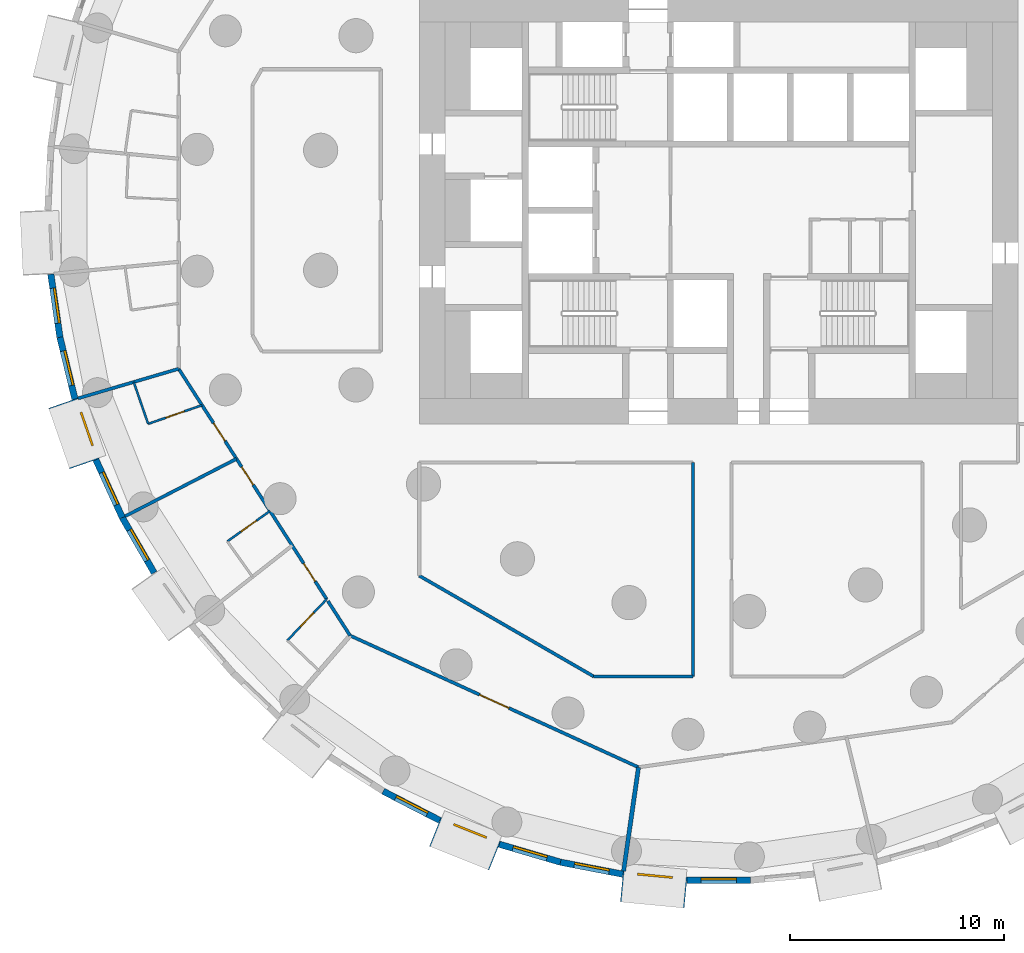
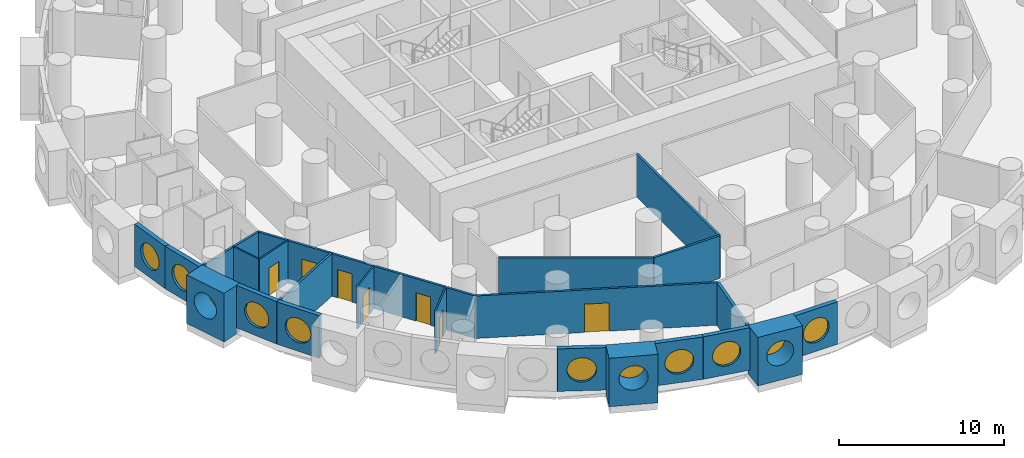
# One storey, part 3 of 12: 24 walls, 11 windows, 7 doors, 18 openings.
"""IFC4 building model written with IfcOpenShell, lengths in metres."""

from ifc_helpers import new_model, si_unit, direction, frame, frame_2d, origin, origin_2d, place, context, subcontext, project, spatial, rectangle, circle, extrude, material, layer, layer_set, type_object, element, fill, save


model = new_model("IFC4")

# Units and contexts
model_context = context("Model", 3, precision=1e-05, world=origin(), true_north=direction((0.0, 1.0)))
body_context = subcontext(model_context, "Body", "Model", "MODEL_VIEW")
ifc_project = project(units=[si_unit("LENGTHUNIT", "METRE"), si_unit("AREAUNIT", "SQUARE_METRE"), si_unit("VOLUMEUNIT", "CUBIC_METRE"), si_unit("PLANEANGLEUNIT", "RADIAN"), si_unit("MASSUNIT", "GRAM", prefix="KILO")], contexts=[model_context])

# Site, building, storey
site_placement = place(None, origin())
site = spatial("IfcSite", under=ifc_project, at=site_placement, CompositionType="ELEMENT")
building_placement = place(site_placement, origin())
building = spatial("IfcBuilding", under=site, at=building_placement, Name="Tracery Tower", CompositionType="ELEMENT")
storey_placement = place(building_placement, frame((0.0, 0.0, 28.199951171875)))
storey = spatial("IfcBuildingStorey", under=building, at=storey_placement, Name="L05", CompositionType="ELEMENT", Elevation=28.199951171875)

# Wall, opening, window
ifc_material_1 = material(Name="Precast concrete C50/60", Category="concrete")
ifc_layer_1 = layer(ifc_material_1, 1.449951171875)
ifc_layer_set_1 = layer_set([ifc_layer_1], Name="Deep-set bay unit 3000 x 3600, slab edge 450")
wall_type_1 = type_object("IfcWallType", Name="Deep-set bay unit 3000 x 3600, slab edge 450", PredefinedType="ELEMENTEDWALL", material=ifc_layer_set_1)
wall_1_placement = place(storey_placement, frame((-30.649169921875, -9.0205078125, -0.449951171875), z_axis=(0.0, 0.0, 1.0), x_axis=(0.327071431777, -0.944999618262, 0.0)))
wall_1 = element("IfcWall", 1, at=wall_1_placement, inside=storey, type_object=wall_type_1, Name="Deep-set bay unit 37 at L05", PredefinedType="ELEMENTEDWALL", context=body_context, shape_type="SweptSolid", body=[
    extrude(rectangle(XDim=3.0, YDim=1.449951171875, at=frame_2d((1.5, 0.0))), origin(), (0.0, 0.0, 1.0), 3.60009765625),
])
opening_1_placement = place(wall_1_placement, frame((1.5, 0.0, 2.0)))
opening_1 = element("IfcOpeningElement", 2, at=opening_1_placement, cuts=wall_1, Name="Opening WN1", PredefinedType="OPENING", context=body_context, shape_type="SweptSolid", body=[
    extrude(circle(Radius=0.9000244140625, at=origin_2d()), frame((0.0, 0.73486328125, 0.0), z_axis=(0.0, -1.0, 0.0), x_axis=(1.0, 0.0, 0.0)), (0.0, 0.0, 1.0), 1.469970703125),
])
ifc_material_2 = material(Name="Aluminium frame with tinted double glazing", Category="aluminium")
window_type = type_object("IfcWindowType", Name="Round window 1800", PartitioningType="SINGLE_PANEL", PredefinedType="WINDOW", material=ifc_material_2)
window_1_placement = place(opening_1_placement, origin())
window_1 = element("IfcWindow", 3, at=window_1_placement, inside=storey, type_object=window_type, Name="Round window 37 at L05", OverallHeight=1.800048828125, OverallWidth=1.800048828125, PartitioningType="SINGLE_PANEL", PredefinedType="WINDOW", context=body_context, shape_type="SweptSolid", body=[
    extrude(circle(Radius=0.9000244140625, at=origin_2d()), frame((0.0, 0.69482421875, 0.0), z_axis=(0.0, -1.0, 0.0), x_axis=(1.0, 0.0, 0.0)), (0.0, 0.0, 1.0), 0.10009765625),
])
fill(opening_1, window_1)

wall_2_placement = place(storey_placement, frame((-13.253662109375, -29.0703125, -0.449951171875), z_axis=(0.0, 0.0, 1.0), x_axis=(0.928358776184, -0.371685327504, 0.0)))
wall_2 = element("IfcWall", 4, at=wall_2_placement, inside=storey, type_object=wall_type_1, Name="Deep-set bay unit 46 at L05", PredefinedType="ELEMENTEDWALL", context=body_context, shape_type="SweptSolid", body=[
    extrude(rectangle(XDim=2.999755859375, YDim=1.449951171875, at=frame_2d((1.5, 0.0))), origin(), (0.0, 0.0, 1.0), 3.60009765625),
])
opening_2_placement = place(wall_2_placement, frame((1.5, 0.0, 2.0)))
opening_2 = element("IfcOpeningElement", 5, at=opening_2_placement, cuts=wall_2, Name="Opening WN1", PredefinedType="OPENING", context=body_context, shape_type="SweptSolid", body=[
    extrude(circle(Radius=0.9000244140625, at=origin_2d()), frame((0.0, 0.73486328125, 0.0), z_axis=(0.0, -1.0, 0.0), x_axis=(1.0, 0.0, 0.0)), (0.0, 0.0, 1.0), 1.469970703125),
])
window_2_placement = place(opening_2_placement, origin())
window_2 = element("IfcWindow", 6, at=window_2_placement, inside=storey, type_object=window_type, Name="Round window 46 at L05", OverallHeight=1.800048828125, OverallWidth=1.800048828125, PartitioningType="SINGLE_PANEL", PredefinedType="WINDOW", context=body_context, shape_type="SweptSolid", body=[
    extrude(circle(Radius=0.9000244140625, at=origin_2d()), frame((0.0, 0.69482421875, 0.0), z_axis=(0.0, -1.0, 0.0), x_axis=(1.0, 0.0, 0.0)), (0.0, 0.0, 1.0), 0.10009765625),
])
fill(opening_2, window_2)

wall_3_placement = place(storey_placement, frame((-4.52685546875, -31.626708984375, -0.449951171875), z_axis=(0.0, 0.0, 1.0), x_axis=(0.995472768558, -0.09504718333, 0.0)))
wall_3 = element("IfcWall", 7, at=wall_3_placement, inside=storey, type_object=wall_type_1, Name="Deep-set bay unit 49 at L05", PredefinedType="ELEMENTEDWALL", context=body_context, shape_type="SweptSolid", body=[
    extrude(rectangle(XDim=3.000244140625, YDim=1.449951171875, at=frame_2d((1.5, 0.0))), origin(), (0.0, 0.0, 1.0), 3.60009765625),
])
opening_3_placement = place(wall_3_placement, frame((1.5, 0.0, 2.0)))
opening_3 = element("IfcOpeningElement", 8, at=opening_3_placement, cuts=wall_3, Name="Opening WN1", PredefinedType="OPENING", context=body_context, shape_type="SweptSolid", body=[
    extrude(circle(Radius=0.9000244140625, at=origin_2d()), frame((0.0, 0.73486328125, 0.0), z_axis=(0.0, -1.0, 0.0), x_axis=(1.0, 0.0, 0.0)), (0.0, 0.0, 1.0), 1.469970703125),
])
window_3_placement = place(opening_3_placement, origin())
window_3 = element("IfcWindow", 9, at=window_3_placement, inside=storey, type_object=window_type, Name="Round window 49 at L05", OverallHeight=1.800048828125, OverallWidth=1.800048828125, PartitioningType="SINGLE_PANEL", PredefinedType="WINDOW", context=body_context, shape_type="SweptSolid", body=[
    extrude(circle(Radius=0.9000244140625, at=origin_2d()), frame((0.0, 0.69482421875, 0.0), z_axis=(0.0, -1.0, 0.0), x_axis=(1.0, 0.0, 0.0)), (0.0, 0.0, 1.0), 0.10009765625),
])
fill(opening_3, window_3)

ifc_material_3 = material(Name="Precast concrete C50/60", Category="concrete")
ifc_layer_2 = layer(ifc_material_3, 0.300048828125)
ifc_layer_set_2 = layer_set([ifc_layer_2], Name="Facade panel 3000 x 3150")
wall_type_2 = type_object("IfcWallType", Name="Facade panel 3000 x 3150", PredefinedType="SOLIDWALL", material=ifc_layer_set_2)
wall_4_placement = place(storey_placement, frame((-31.2314453125, -2.98828125, 0.0), z_axis=(0.0, 0.0, 1.0), x_axis=(0.142315996627, -0.989821275334, 0.0)))
wall_4 = element("IfcWall", 10, at=wall_4_placement, inside=storey, type_object=wall_type_2, Name="Facade panel 35 at L05", PredefinedType="SOLIDWALL", context=body_context, shape_type="SweptSolid", body=[
    extrude(rectangle(XDim=2.979736328125, YDim=0.300048828125, at=frame_2d((1.48974609375, 0.0))), origin(), (0.0, 0.0, 1.0), 3.150146484375),
])
opening_4_placement = place(wall_4_placement, frame((1.48974609375, 0.0, 1.5498046875)))
opening_4 = element("IfcOpeningElement", 11, at=opening_4_placement, cuts=wall_4, Name="Opening WN1", PredefinedType="OPENING", context=body_context, shape_type="SweptSolid", body=[
    extrude(circle(Radius=0.9000244140625, at=origin_2d()), frame((0.0, 0.159912109375, 0.0), z_axis=(0.0, -1.0, 0.0), x_axis=(1.0, 0.0, 0.0)), (0.0, 0.0, 1.0), 0.320068359375),
])
window_4_placement = place(opening_4_placement, origin())
window_4 = element("IfcWindow", 12, at=window_4_placement, inside=storey, type_object=window_type, Name="Round window 35 at L05", OverallHeight=1.800048828125, OverallWidth=1.800048828125, PartitioningType="SINGLE_PANEL", PredefinedType="WINDOW", context=body_context, shape_type="SweptSolid", body=[
    extrude(circle(Radius=0.9000244140625, at=origin_2d()), frame((0.0, 0.1201171875, 0.0), z_axis=(0.0, -1.0, 0.0), x_axis=(1.0, 0.0, 0.0)), (0.0, 0.0, 1.0), 0.10009765625),
])
fill(opening_4, window_4)

wall_5_placement = place(storey_placement, frame((-30.807373046875, -5.937744140625, 0.0), z_axis=(0.0, 0.0, 1.0), x_axis=(0.235743081534, -0.971815414319, 0.0)))
wall_5 = element("IfcWall", 13, at=wall_5_placement, inside=storey, type_object=wall_type_2, Name="Facade panel 36 at L05", PredefinedType="SOLIDWALL", context=body_context, shape_type="SweptSolid", body=[
    extrude(rectangle(XDim=2.9794921875, YDim=0.300048828125, at=frame_2d((1.48974609375, 0.0))), origin(), (0.0, 0.0, 1.0), 3.150146484375),
])
opening_5_placement = place(wall_5_placement, frame((1.48974609375, 0.0, 1.5498046875)))
opening_5 = element("IfcOpeningElement", 14, at=opening_5_placement, cuts=wall_5, Name="Opening WN1", PredefinedType="OPENING", context=body_context, shape_type="SweptSolid", body=[
    extrude(circle(Radius=0.9000244140625, at=origin_2d()), frame((0.0, 0.159912109375, 0.0), z_axis=(0.0, -1.0, 0.0), x_axis=(1.0, 0.0, 0.0)), (0.0, 0.0, 1.0), 0.320068359375),
])
window_5_placement = place(opening_5_placement, origin())
window_5 = element("IfcWindow", 15, at=window_5_placement, inside=storey, type_object=window_type, Name="Round window 36 at L05", OverallHeight=1.800048828125, OverallWidth=1.800048828125, PartitioningType="SINGLE_PANEL", PredefinedType="WINDOW", context=body_context, shape_type="SweptSolid", body=[
    extrude(circle(Radius=0.9000244140625, at=origin_2d()), frame((0.0, 0.1201171875, 0.0), z_axis=(0.0, -1.0, 0.0), x_axis=(1.0, 0.0, 0.0)), (0.0, 0.0, 1.0), 0.10009765625),
])
fill(opening_5, window_5)

wall_6_placement = place(storey_placement, frame((-29.12451171875, -11.666259765625, 0.0), z_axis=(0.0, 0.0, 1.0), x_axis=(0.415407317162, -0.909635509888, 0.0)))
wall_6 = element("IfcWall", 16, at=wall_6_placement, inside=storey, type_object=wall_type_2, Name="Facade panel 38 at L05", PredefinedType="SOLIDWALL", context=body_context, shape_type="SweptSolid", body=[
    extrude(rectangle(XDim=2.979736328125, YDim=0.300048828125, at=frame_2d((1.48974609375, 0.0))), origin(), (0.0, 0.0, 1.0), 3.150146484375),
])
opening_6_placement = place(wall_6_placement, frame((1.48974609375, 0.0, 1.5498046875)))
opening_6 = element("IfcOpeningElement", 17, at=opening_6_placement, cuts=wall_6, Name="Opening WN1", PredefinedType="OPENING", context=body_context, shape_type="SweptSolid", body=[
    extrude(circle(Radius=0.9000244140625, at=origin_2d()), frame((0.0, 0.159912109375, 0.0), z_axis=(0.0, -1.0, 0.0), x_axis=(1.0, 0.0, 0.0)), (0.0, 0.0, 1.0), 0.320068359375),
])
window_6_placement = place(opening_6_placement, origin())
window_6 = element("IfcWindow", 18, at=window_6_placement, inside=storey, type_object=window_type, Name="Round window 38 at L05", OverallHeight=1.800048828125, OverallWidth=1.800048828125, PartitioningType="SINGLE_PANEL", PredefinedType="WINDOW", context=body_context, shape_type="SweptSolid", body=[
    extrude(circle(Radius=0.9000244140625, at=origin_2d()), frame((0.0, 0.1201171875, 0.0), z_axis=(0.0, -1.0, 0.0), x_axis=(1.0, 0.0, 0.0)), (0.0, 0.0, 1.0), 0.10009765625),
])
fill(opening_6, window_6)

wall_7_placement = place(storey_placement, frame((-27.88671875, -14.376708984375, 0.0), z_axis=(0.0, 0.0, 1.0), x_axis=(0.499999078476, -0.866025935826, 0.0)))
wall_7 = element("IfcWall", 19, at=wall_7_placement, inside=storey, type_object=wall_type_2, Name="Facade panel 39 at L05", PredefinedType="SOLIDWALL", context=body_context, shape_type="SweptSolid", body=[
    extrude(rectangle(XDim=2.9794921875, YDim=0.300048828125, at=frame_2d((1.48974609375, 0.0))), origin(), (0.0, 0.0, 1.0), 3.150146484375),
])
opening_7_placement = place(wall_7_placement, frame((1.48974609375, 0.0, 1.5498046875)))
opening_7 = element("IfcOpeningElement", 20, at=opening_7_placement, cuts=wall_7, Name="Opening WN1", PredefinedType="OPENING", context=body_context, shape_type="SweptSolid", body=[
    extrude(circle(Radius=0.9000244140625, at=origin_2d()), frame((0.0, 0.159912109375, 0.0), z_axis=(0.0, -1.0, 0.0), x_axis=(1.0, 0.0, 0.0)), (0.0, 0.0, 1.0), 0.320068359375),
])
window_7_placement = place(opening_7_placement, origin())
window_7 = element("IfcWindow", 21, at=window_7_placement, inside=storey, type_object=window_type, Name="Round window 39 at L05", OverallHeight=1.800048828125, OverallWidth=1.800048828125, PartitioningType="SINGLE_PANEL", PredefinedType="WINDOW", context=body_context, shape_type="SweptSolid", body=[
    extrude(circle(Radius=0.9000244140625, at=origin_2d()), frame((0.0, 0.1201171875, 0.0), z_axis=(0.0, -1.0, 0.0), x_axis=(1.0, 0.0, 0.0)), (0.0, 0.0, 1.0), 0.10009765625),
])
fill(opening_7, window_7)

wall_8_placement = place(storey_placement, frame((-15.687255859375, -27.171142578125, 0.0), z_axis=(0.0, 0.0, 1.0), x_axis=(0.888853225096, -0.4581920386, 0.0)))
wall_8 = element("IfcWall", 22, at=wall_8_placement, inside=storey, type_object=wall_type_2, Name="Facade panel 45 at L05", PredefinedType="SOLIDWALL", context=body_context, shape_type="SweptSolid", body=[
    extrude(rectangle(XDim=2.9794921875, YDim=0.300048828125, at=frame_2d((1.48974609375, 0.0))), origin(), (0.0, 0.0, 1.0), 3.150146484375),
])
opening_8_placement = place(wall_8_placement, frame((1.48974609375, 0.0, 1.5498046875)))
opening_8 = element("IfcOpeningElement", 23, at=opening_8_placement, cuts=wall_8, Name="Opening WN1", PredefinedType="OPENING", context=body_context, shape_type="SweptSolid", body=[
    extrude(circle(Radius=0.9000244140625, at=origin_2d()), frame((0.0, 0.159912109375, 0.0), z_axis=(0.0, -1.0, 0.0), x_axis=(1.0, 0.0, 0.0)), (0.0, 0.0, 1.0), 0.320068359375),
])
window_8_placement = place(opening_8_placement, origin())
window_8 = element("IfcWindow", 24, at=window_8_placement, inside=storey, type_object=window_type, Name="Round window 45 at L05", OverallHeight=1.800048828125, OverallWidth=1.800048828125, PartitioningType="SINGLE_PANEL", PredefinedType="WINDOW", context=body_context, shape_type="SweptSolid", body=[
    extrude(circle(Radius=0.9000244140625, at=origin_2d()), frame((0.0, 0.1201171875, 0.0), z_axis=(0.0, -1.0, 0.0), x_axis=(1.0, 0.0, 0.0)), (0.0, 0.0, 1.0), 0.10009765625),
])
fill(opening_8, window_8)

wall_9_placement = place(storey_placement, frame((-10.255859375, -29.650634765625, 0.0), z_axis=(0.0, 0.0, 1.0), x_axis=(0.959507586834, -0.28168278401, 0.0)))
wall_9 = element("IfcWall", 25, at=wall_9_placement, inside=storey, type_object=wall_type_2, Name="Facade panel 47 at L05", PredefinedType="SOLIDWALL", context=body_context, shape_type="SweptSolid", body=[
    extrude(rectangle(XDim=2.979736328125, YDim=0.300048828125, at=frame_2d((1.48974609375, 0.0))), origin(), (0.0, 0.0, 1.0), 3.150146484375),
])
opening_9_placement = place(wall_9_placement, frame((1.48974609375, 0.0, 1.5498046875)))
opening_9 = element("IfcOpeningElement", 26, at=opening_9_placement, cuts=wall_9, Name="Opening WN1", PredefinedType="OPENING", context=body_context, shape_type="SweptSolid", body=[
    extrude(circle(Radius=0.9000244140625, at=origin_2d()), frame((0.0, 0.159912109375, 0.0), z_axis=(0.0, -1.0, 0.0), x_axis=(1.0, 0.0, 0.0)), (0.0, 0.0, 1.0), 0.320068359375),
])
window_9_placement = place(opening_9_placement, origin())
window_9 = element("IfcWindow", 27, at=window_9_placement, inside=storey, type_object=window_type, Name="Round window 47 at L05", OverallHeight=1.800048828125, OverallWidth=1.800048828125, PartitioningType="SINGLE_PANEL", PredefinedType="WINDOW", context=body_context, shape_type="SweptSolid", body=[
    extrude(circle(Radius=0.9000244140625, at=origin_2d()), frame((0.0, 0.1201171875, 0.0), z_axis=(0.0, -1.0, 0.0), x_axis=(1.0, 0.0, 0.0)), (0.0, 0.0, 1.0), 0.10009765625),
])
fill(opening_9, window_9)

wall_10_placement = place(storey_placement, frame((-7.396728515625, -30.489990234375, 0.0), z_axis=(0.0, 0.0, 1.0), x_axis=(0.981924535406, -0.189272836848, 0.0)))
wall_10 = element("IfcWall", 28, at=wall_10_placement, inside=storey, type_object=wall_type_2, Name="Facade panel 48 at L05", PredefinedType="SOLIDWALL", context=body_context, shape_type="SweptSolid", body=[
    extrude(rectangle(XDim=2.979736328125, YDim=0.300048828125, at=frame_2d((1.48974609375, 0.0))), origin(), (0.0, 0.0, 1.0), 3.150146484375),
])
opening_10_placement = place(wall_10_placement, frame((1.48974609375, 0.0, 1.5498046875)))
opening_10 = element("IfcOpeningElement", 29, at=opening_10_placement, cuts=wall_10, Name="Opening WN1", PredefinedType="OPENING", context=body_context, shape_type="SweptSolid", body=[
    extrude(circle(Radius=0.9000244140625, at=origin_2d()), frame((0.0, 0.159912109375, 0.0), z_axis=(0.0, -1.0, 0.0), x_axis=(1.0, 0.0, 0.0)), (0.0, 0.0, 1.0), 0.320068359375),
])
window_10_placement = place(opening_10_placement, origin())
window_10 = element("IfcWindow", 30, at=window_10_placement, inside=storey, type_object=window_type, Name="Round window 48 at L05", OverallHeight=1.800048828125, OverallWidth=1.800048828125, PartitioningType="SINGLE_PANEL", PredefinedType="WINDOW", context=body_context, shape_type="SweptSolid", body=[
    extrude(circle(Radius=0.9000244140625, at=origin_2d()), frame((0.0, 0.1201171875, 0.0), z_axis=(0.0, -1.0, 0.0), x_axis=(1.0, 0.0, 0.0)), (0.0, 0.0, 1.0), 0.10009765625),
])
fill(opening_10, window_10)

wall_11_placement = place(storey_placement, frame((-1.48681640625, -31.3388671875, 0.0), z_axis=(0.0, 0.0, 1.0), x_axis=(1.0, 0.0, 0.0)))
wall_11 = element("IfcWall", 31, at=wall_11_placement, inside=storey, type_object=wall_type_2, Name="Facade panel 50 at L05", PredefinedType="SOLIDWALL", context=body_context, shape_type="SweptSolid", body=[
    extrude(rectangle(XDim=2.979736328125, YDim=0.300048828125, at=frame_2d((1.48974609375, 0.0))), origin(), (0.0, 0.0, 1.0), 3.150146484375),
])
opening_11_placement = place(wall_11_placement, frame((1.48974609375, 0.0, 1.5498046875)))
opening_11 = element("IfcOpeningElement", 32, at=opening_11_placement, cuts=wall_11, Name="Opening WN1", PredefinedType="OPENING", context=body_context, shape_type="SweptSolid", body=[
    extrude(circle(Radius=0.9000244140625, at=origin_2d()), frame((0.0, 0.159912109375, 0.0), z_axis=(0.0, -1.0, 0.0), x_axis=(1.0, 0.0, 0.0)), (0.0, 0.0, 1.0), 0.320068359375),
])
window_11_placement = place(opening_11_placement, origin())
window_11 = element("IfcWindow", 33, at=window_11_placement, inside=storey, type_object=window_type, Name="Round window 50 at L05", OverallHeight=1.800048828125, OverallWidth=1.800048828125, PartitioningType="SINGLE_PANEL", PredefinedType="WINDOW", context=body_context, shape_type="SweptSolid", body=[
    extrude(circle(Radius=0.9000244140625, at=origin_2d()), frame((0.0, 0.1201171875, 0.0), z_axis=(0.0, -1.0, 0.0), x_axis=(1.0, 0.0, 0.0)), (0.0, 0.0, 1.0), 0.10009765625),
])
fill(opening_11, window_11)

# Wall
ifc_material_4 = material(Name="Plasterboard on steel studs", Category="steel")
ifc_layer_3 = layer(ifc_material_4, 0.10009765625)
ifc_layer_set_3 = layer_set([ifc_layer_3], Name="Partition 100 wet wall")
wall_type_3 = type_object("IfcWallType", Name="Partition 100 wet wall", PredefinedType="PARTITIONING", material=ifc_layer_set_3)
wall_12_placement = place(storey_placement, frame((-27.35595703125, -8.031982421875, 0.0), z_axis=(0.0, 0.0, 1.0), x_axis=(0.326924291943, -0.945050531632, 0.0)))
element("IfcWall", 34, at=wall_12_placement, inside=storey, type_object=wall_type_3, Name="Wet wall RA1-103", PredefinedType="PARTITIONING", context=body_context, shape_type="SweptSolid", body=[
    extrude(rectangle(XDim=2.07080078125, YDim=0.10009765625, at=frame_2d((1.035400390625, 0.0))), origin(), (0.0, 0.0, 1.0), 3.150146484375),
])

# Wall, opening, door
wall_13_placement = place(storey_placement, frame((-26.678955078125, -9.989013671875, 0.0), z_axis=(0.0, 0.0, 1.0), x_axis=(0.945014370431, 0.327028805578, 0.0)))
wall_13 = element("IfcWall", 35, at=wall_13_placement, inside=storey, type_object=wall_type_3, Name="Wet wall RA1-104", PredefinedType="PARTITIONING", context=body_context, shape_type="SweptSolid", body=[
    extrude(rectangle(XDim=2.666748046875, YDim=0.10009765625, at=frame_2d((1.33349609375, 0.0))), origin(), (0.0, 0.0, 1.0), 3.150146484375),
])
opening_12_placement = place(wall_13_placement, frame((0.883056640625, 0.0, 0.0)))
opening_12 = element("IfcOpeningElement", 36, at=opening_12_placement, cuts=wall_13, Name="Opening RA1-39", PredefinedType="OPENING", context=body_context, shape_type="SweptSolid", body=[
    extrude(rectangle(XDim=0.89990234375, YDim=2.0400390625, at=frame_2d((0.449951171875, 1.02001953125))), frame((0.0, 0.050048828125, 0.0), z_axis=(0.0, -1.0, 0.0), x_axis=(1.0, 0.0, 0.0)), (0.0, 0.0, 1.0), 0.10009765625),
])
ifc_material_5 = material(Name="Timber door leaf", Category="wood")
door_type_1 = type_object("IfcDoorType", Name="Door en-suite 900", OperationType="NOTDEFINED", PredefinedType="DOOR", material=ifc_material_5)
door_1_placement = place(opening_12_placement, origin())
door_1 = element("IfcDoor", 37, at=door_1_placement, inside=storey, type_object=door_type_1, Name="En-suite door RA1-39", OperationType="SINGLE_SWING_LEFT", OverallHeight=2.0400390625, OverallWidth=0.89990234375, PredefinedType="DOOR", context=body_context, shape_type="SweptSolid", body=[
    extrude(rectangle(XDim=0.89990234375, YDim=2.0400390625, at=frame_2d((0.449951171875, 1.02001953125))), frame((0.0, 0.02490234375, 0.0), z_axis=(0.0, -1.0, 0.0), x_axis=(1.0, 0.0, 0.0)), (0.0, 0.0, 1.0), 0.050048828125),
])
fill(opening_12, door_1)

wall_14_placement = place(storey_placement, frame((-22.97802734375, -15.486083984375, 0.0), z_axis=(0.0, 0.0, 1.0), x_axis=(0.814519517834, 0.580136152181, 0.0)))
wall_14 = element("IfcWall", 38, at=wall_14_placement, inside=storey, type_object=wall_type_3, Name="Wet wall RA1-106", PredefinedType="PARTITIONING", context=body_context, shape_type="SweptSolid", body=[
    extrude(rectangle(XDim=2.453125, YDim=0.10009765625, at=frame_2d((1.2265625, 0.0))), origin(), (0.0, 0.0, 1.0), 3.150146484375),
])
opening_13_placement = place(wall_14_placement, frame((0.77685546875, 0.0, 0.0)))
opening_13 = element("IfcOpeningElement", 39, at=opening_13_placement, cuts=wall_14, Name="Opening RA1-41", PredefinedType="OPENING", context=body_context, shape_type="SweptSolid", body=[
    extrude(rectangle(XDim=0.89990234375, YDim=2.0400390625, at=frame_2d((0.449951171875, 1.02001953125))), frame((0.0, 0.050048828125, 0.0), z_axis=(0.0, -1.0, 0.0), x_axis=(1.0, 0.0, 0.0)), (0.0, 0.0, 1.0), 0.10009765625),
])
door_2_placement = place(opening_13_placement, origin())
door_2 = element("IfcDoor", 40, at=door_2_placement, inside=storey, type_object=door_type_1, Name="En-suite door RA1-41", OperationType="SINGLE_SWING_LEFT", OverallHeight=2.0400390625, OverallWidth=0.89990234375, PredefinedType="DOOR", context=body_context, shape_type="SweptSolid", body=[
    extrude(rectangle(XDim=0.89990234375, YDim=2.0400390625, at=frame_2d((0.449951171875, 1.02001953125))), frame((0.0, 0.02490234375, 0.0), z_axis=(0.0, -1.0, 0.0), x_axis=(1.0, 0.0, 0.0)), (0.0, 0.0, 1.0), 0.050048828125),
])
fill(opening_13, door_2)

wall_15_placement = place(storey_placement, frame((-20.1689453125, -20.117919921875, 0.0), z_axis=(0.0, 0.0, 1.0), x_axis=(0.690011756227, 0.723798159896, 0.0)))
wall_15 = element("IfcWall", 41, at=wall_15_placement, inside=storey, type_object=wall_type_3, Name="Wet wall RA1-109", PredefinedType="PARTITIONING", context=body_context, shape_type="SweptSolid", body=[
    extrude(rectangle(XDim=2.66650390625, YDim=0.10009765625, at=frame_2d((1.333251953125, 0.0))), origin(), (0.0, 0.0, 1.0), 3.150146484375),
])
opening_14_placement = place(wall_15_placement, frame((0.883544921875, 0.0, 0.0)))
opening_14 = element("IfcOpeningElement", 42, at=opening_14_placement, cuts=wall_15, Name="Opening RA1-43", PredefinedType="OPENING", context=body_context, shape_type="SweptSolid", body=[
    extrude(rectangle(XDim=0.89990234375, YDim=2.0400390625, at=frame_2d((0.449951171875, 1.02001953125))), frame((0.0, 0.050048828125, 0.0), z_axis=(0.0, -1.0, 0.0), x_axis=(1.0, 0.0, 0.0)), (0.0, 0.0, 1.0), 0.10009765625),
])
door_3_placement = place(opening_14_placement, origin())
door_3 = element("IfcDoor", 43, at=door_3_placement, inside=storey, type_object=door_type_1, Name="En-suite door RA1-43", OperationType="SINGLE_SWING_LEFT", OverallHeight=2.0400390625, OverallWidth=0.89990234375, PredefinedType="DOOR", context=body_context, shape_type="SweptSolid", body=[
    extrude(rectangle(XDim=0.89990234375, YDim=2.0400390625, at=frame_2d((0.449951171875, 1.02001953125))), frame((0.0, 0.02490234375, 0.0), z_axis=(0.0, -1.0, 0.0), x_axis=(1.0, 0.0, 0.0)), (0.0, 0.0, 1.0), 0.050048828125),
])
fill(opening_14, door_3)

# Walls
ifc_material_6 = material(Name="Plasterboard on steel studs", Category="steel")
ifc_layer_4 = layer(ifc_material_6, 0.14990234375)
ifc_layer_set_4 = layer_set([ifc_layer_4], Name="Partition 150 acoustic unit wall")
wall_type_4 = type_object("IfcWallType", Name="Partition 150 acoustic unit wall", PredefinedType="PARTITIONING", material=ifc_layer_set_4)
wall_16_placement = place(storey_placement, frame((-29.958984375, -8.797119140625, 0.0), z_axis=(0.0, 0.0, 1.0), x_axis=(0.959434430266, 0.281931860598, 0.0)))
element("IfcWall", 44, at=wall_16_placement, inside=storey, type_object=wall_type_4, Name="Unit wall RA1-102", PredefinedType="PARTITIONING", context=body_context, shape_type="SweptSolid", body=[
    extrude(rectangle(XDim=4.90478515625, YDim=0.14990234375, at=frame_2d((2.452392578125, 0.0))), origin(), (0.0, 0.0, 1.0), 3.150146484375),
])
wall_17_placement = place(storey_placement, frame((-27.7529296875, -14.30810546875, 0.0), z_axis=(0.0, 0.0, 1.0), x_axis=(0.88877955153, 0.45833493079, 0.0)))
element("IfcWall", 45, at=wall_17_placement, inside=storey, type_object=wall_type_4, Name="Unit wall RA1-105", PredefinedType="PARTITIONING", context=body_context, shape_type="SweptSolid", body=[
    extrude(rectangle(XDim=5.856201171875, YDim=0.14990234375, at=frame_2d((2.92822265625, 0.0))), origin(), (0.0, 0.0, 1.0), 3.150146484375),
])

# Wall, openings, doors
ifc_material_7 = material(Name="Plasterboard on steel studs", Category="steel")
ifc_layer_5 = layer(ifc_material_7, 0.14990234375)
ifc_layer_set_5 = layer_set([ifc_layer_5], Name="Partition 150 corridor wall")
wall_type_5 = type_object("IfcWallType", Name="Partition 150 corridor wall", PredefinedType="PARTITIONING", material=ifc_layer_set_5)
wall_18_placement = place(storey_placement, frame((-25.252197265625, -7.41455078125, 0.0), z_axis=(0.0, 0.0, 1.0), x_axis=(0.540498462047, -0.84134500208, 0.0)))
wall_18 = element("IfcWall", 46, at=wall_18_placement, inside=storey, type_object=wall_type_5, Name="Corridor wall RA1-045", PredefinedType="PARTITIONING", context=body_context, shape_type="SweptSolid", body=[
    extrude(rectangle(XDim=12.810546875, YDim=0.14990234375, at=frame_2d((6.4052734375, 0.0))), origin(), (0.0, 0.0, 1.0), 3.150146484375),
])
opening_15_placement = place(wall_18_placement, frame((3.012939453125, 0.0, 0.0)))
opening_15 = element("IfcOpeningElement", 47, at=opening_15_placement, cuts=wall_18, Name="Opening RA1-40", PredefinedType="OPENING", context=body_context, shape_type="SweptSolid", body=[
    extrude(rectangle(XDim=1.0, YDim=2.10009765625, at=frame_2d((0.5, 1.050048828125))), frame((0.0, 0.074951171875, 0.0), z_axis=(0.0, -1.0, 0.0), x_axis=(1.0, 0.0, 0.0)), (0.0, 0.0, 1.0), 0.14990234375),
])
opening_16_placement = place(wall_18_placement, frame((5.452392578125, 0.0, 0.0)))
opening_16 = element("IfcOpeningElement", 48, at=opening_16_placement, cuts=wall_18, Name="Opening RA1-42", PredefinedType="OPENING", context=body_context, shape_type="SweptSolid", body=[
    extrude(rectangle(XDim=1.0, YDim=2.10009765625, at=frame_2d((0.5, 1.050048828125))), frame((0.0, 0.074951171875, 0.0), z_axis=(0.0, -1.0, 0.0), x_axis=(1.0, 0.0, 0.0)), (0.0, 0.0, 1.0), 0.14990234375),
])
opening_17_placement = place(wall_18_placement, frame((10.816650390625, 0.0, 0.0)))
opening_17 = element("IfcOpeningElement", 49, at=opening_17_placement, cuts=wall_18, Name="Opening RA1-44", PredefinedType="OPENING", context=body_context, shape_type="SweptSolid", body=[
    extrude(rectangle(XDim=1.0, YDim=2.10009765625, at=frame_2d((0.5, 1.050048828125))), frame((0.0, 0.074951171875, 0.0), z_axis=(0.0, -1.0, 0.0), x_axis=(1.0, 0.0, 0.0)), (0.0, 0.0, 1.0), 0.14990234375),
])
ifc_material_8 = material(Name="Timber door leaf", Category="wood")
door_type_2 = type_object("IfcDoorType", Name="Door unit entrance 1000", OperationType="NOTDEFINED", PredefinedType="DOOR", material=ifc_material_8)
door_4_placement = place(opening_15_placement, origin())
door_4 = element("IfcDoor", 50, at=door_4_placement, inside=storey, type_object=door_type_2, Name="Unit entrance door RA1-40", OperationType="SINGLE_SWING_LEFT", OverallHeight=2.10009765625, OverallWidth=1.0, PredefinedType="DOOR", context=body_context, shape_type="SweptSolid", body=[
    extrude(rectangle(XDim=1.0, YDim=2.10009765625, at=frame_2d((0.5, 1.050048828125))), frame((0.0, 0.02490234375, 0.0), z_axis=(0.0, -1.0, 0.0), x_axis=(1.0, 0.0, 0.0)), (0.0, 0.0, 1.0), 0.050048828125),
])
fill(opening_15, door_4)
door_5_placement = place(opening_16_placement, origin())
door_5 = element("IfcDoor", 51, at=door_5_placement, inside=storey, type_object=door_type_2, Name="Unit entrance door RA1-42", OperationType="SINGLE_SWING_RIGHT", OverallHeight=2.10009765625, OverallWidth=1.0, PredefinedType="DOOR", context=body_context, shape_type="SweptSolid", body=[
    extrude(rectangle(XDim=1.0, YDim=2.10009765625, at=frame_2d((0.5, 1.050048828125))), frame((0.0, 0.02490234375, 0.0), z_axis=(0.0, -1.0, 0.0), x_axis=(1.0, 0.0, 0.0)), (0.0, 0.0, 1.0), 0.050048828125),
])
fill(opening_16, door_5)
door_6_placement = place(opening_17_placement, origin())
door_6 = element("IfcDoor", 52, at=door_6_placement, inside=storey, type_object=door_type_2, Name="Unit entrance door RA1-44", OperationType="SINGLE_SWING_LEFT", OverallHeight=2.10009765625, OverallWidth=1.0, PredefinedType="DOOR", context=body_context, shape_type="SweptSolid", body=[
    extrude(rectangle(XDim=1.0, YDim=2.10009765625, at=frame_2d((0.5, 1.050048828125))), frame((0.0, 0.02490234375, 0.0), z_axis=(0.0, -1.0, 0.0), x_axis=(1.0, 0.0, 0.0)), (0.0, 0.0, 1.0), 0.050048828125),
])
fill(opening_17, door_6)

# Walls
wall_19_placement = place(storey_placement, frame((-14.0, -17.092041015625, 0.0), z_axis=(0.0, 0.0, 1.0), x_axis=(0.86602719091, -0.499996904595, 0.0)))
element("IfcWall", 53, at=wall_19_placement, inside=storey, type_object=wall_type_5, Name="Corridor wall RA1-046", PredefinedType="PARTITIONING", context=body_context, shape_type="SweptSolid", body=[
    extrude(rectangle(XDim=9.419921875, YDim=0.14990234375, at=frame_2d((4.7099609375, 0.0))), origin(), (0.0, 0.0, 1.0), 3.150146484375),
])
wall_20_placement = place(storey_placement, frame((-5.842041015625, -21.802001953125, 0.0), z_axis=(0.0, 0.0, 1.0), x_axis=(1.0, 0.0, 0.0)))
element("IfcWall", 54, at=wall_20_placement, inside=storey, type_object=wall_type_5, Name="Corridor wall RA1-047", PredefinedType="PARTITIONING", context=body_context, shape_type="SweptSolid", body=[
    extrude(rectangle(XDim=4.650146484375, YDim=0.14990234375, at=frame_2d((2.3251953125, 0.0))), origin(), (0.0, 0.0, 1.0), 3.150146484375),
])
wall_21_placement = place(storey_placement, frame((-1.19189453125, -21.802001953125, 0.0), z_axis=(0.0, 0.0, 1.0), x_axis=(0.0, 1.0, 0.0)))
element("IfcWall", 55, at=wall_21_placement, inside=storey, type_object=wall_type_5, Name="Corridor wall RA1-048", PredefinedType="PARTITIONING", context=body_context, shape_type="SweptSolid", body=[
    extrude(rectangle(XDim=10.001953125, YDim=0.14990234375, at=frame_2d((5.0009765625, 0.0))), origin(), (0.0, 0.0, 1.0), 3.150146484375),
])
wall_22_placement = place(storey_placement, frame((-18.27392578125, -18.27392578125, 0.0), z_axis=(0.0, 0.0, 1.0), x_axis=(0.540751168176, -0.841182604502, 0.0)))
element("IfcWall", 56, at=wall_22_placement, inside=storey, type_object=wall_type_5, Name="Corridor wall RA1-055", PredefinedType="PARTITIONING", context=body_context, shape_type="SweptSolid", body=[
    extrude(rectangle(XDim=1.921142578125, YDim=0.14990234375, at=frame_2d((0.96044921875, 0.0))), origin(), (0.0, 0.0, 1.0), 3.150146484375),
])

# Wall, opening, door
wall_23_placement = place(storey_placement, frame((-17.235107421875, -19.889892578125, 0.0), z_axis=(0.0, 0.0, 1.0), x_axis=(0.90960889055, -0.415465601743, 0.0)))
wall_23 = element("IfcWall", 57, at=wall_23_placement, inside=storey, type_object=wall_type_5, Name="Corridor wall RA1-056", PredefinedType="PARTITIONING", context=body_context, shape_type="SweptSolid", body=[
    extrude(rectangle(XDim=14.829345703125, YDim=0.14990234375, at=frame_2d((7.41455078125, 0.0))), origin(), (0.0, 0.0, 1.0), 3.150146484375),
])
opening_18_placement = place(wall_23_placement, frame((6.664306640625, 0.0, 0.0)))
opening_18 = element("IfcOpeningElement", 58, at=opening_18_placement, cuts=wall_23, Name="Opening RA1-45", PredefinedType="OPENING", context=body_context, shape_type="SweptSolid", body=[
    extrude(rectangle(XDim=1.5, YDim=2.10009765625, at=frame_2d((0.75, 1.050048828125))), frame((0.0, 0.074951171875, 0.0), z_axis=(0.0, -1.0, 0.0), x_axis=(1.0, 0.0, 0.0)), (0.0, 0.0, 1.0), 0.14990234375),
])
ifc_material_9 = material(Name="Timber door leaf", Category="wood")
door_type_3 = type_object("IfcDoorType", Name="Door double kitchen 1500", OperationType="NOTDEFINED", PredefinedType="DOOR", material=ifc_material_9)
door_7_placement = place(opening_18_placement, origin())
door_7 = element("IfcDoor", 59, at=door_7_placement, inside=storey, type_object=door_type_3, Name="Double kitchen door RA1-45", OperationType="DOUBLE_DOOR_SINGLE_SWING", OverallHeight=2.10009765625, OverallWidth=1.5, PredefinedType="DOOR", context=body_context, shape_type="SweptSolid", body=[
    extrude(rectangle(XDim=1.5, YDim=2.10009765625, at=frame_2d((0.75, 1.050048828125))), frame((0.0, 0.02490234375, 0.0), z_axis=(0.0, -1.0, 0.0), x_axis=(1.0, 0.0, 0.0)), (0.0, 0.0, 1.0), 0.050048828125),
])
fill(opening_18, door_7)

# Wall
ifc_material_10 = material(Name="Plasterboard on steel studs", Category="steel")
ifc_layer_6 = layer(ifc_material_10, 0.199951171875)
ifc_layer_set_6 = layer_set([ifc_layer_6], Name="Partition 200 compartment wall")
wall_type_6 = type_object("IfcWallType", Name="Partition 200 compartment wall", PredefinedType="PARTITIONING", material=ifc_layer_set_6)
wall_24_placement = place(storey_placement, frame((-4.444091796875, -30.906005859375, 0.0), z_axis=(0.0, 0.0, 1.0), x_axis=(0.142306296561, 0.989822669956, 0.0)))
element("IfcWall", 60, at=wall_24_placement, inside=storey, type_object=wall_type_6, Name="Compartment wall RA1-112", PredefinedType="PARTITIONING", context=body_context, shape_type="SweptSolid", body=[
    extrude(rectangle(XDim=4.90478515625, YDim=0.199951171875, at=frame_2d((2.452392578125, 0.0))), origin(), (0.0, 0.0, 1.0), 3.150146484375),
])

save(model, "model.ifc")
